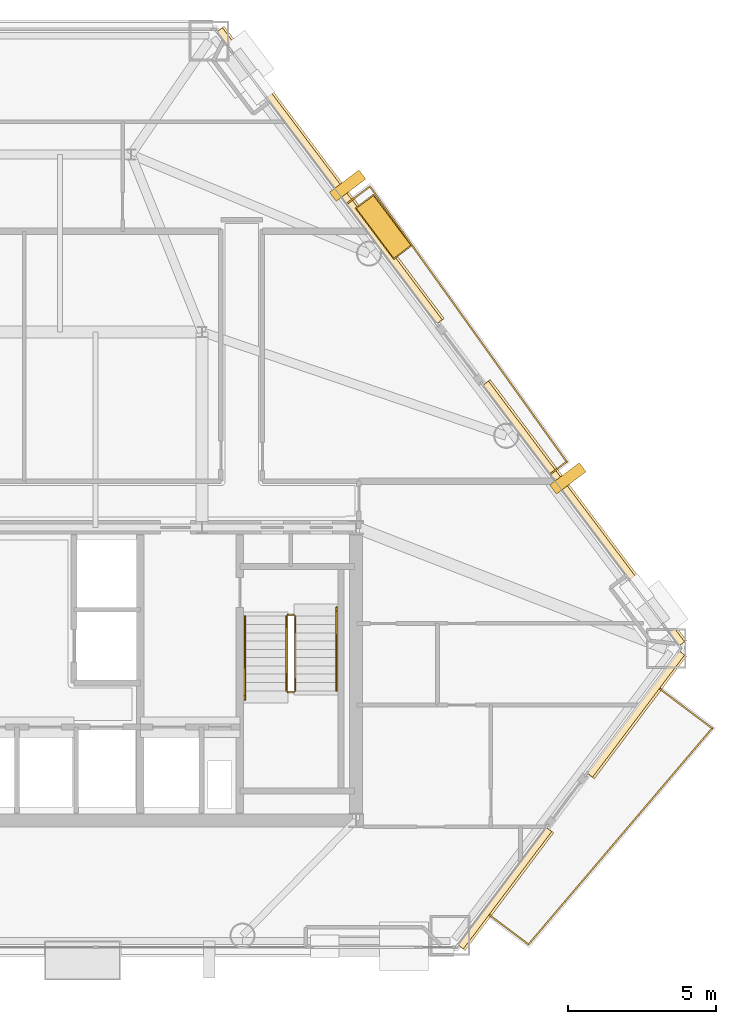
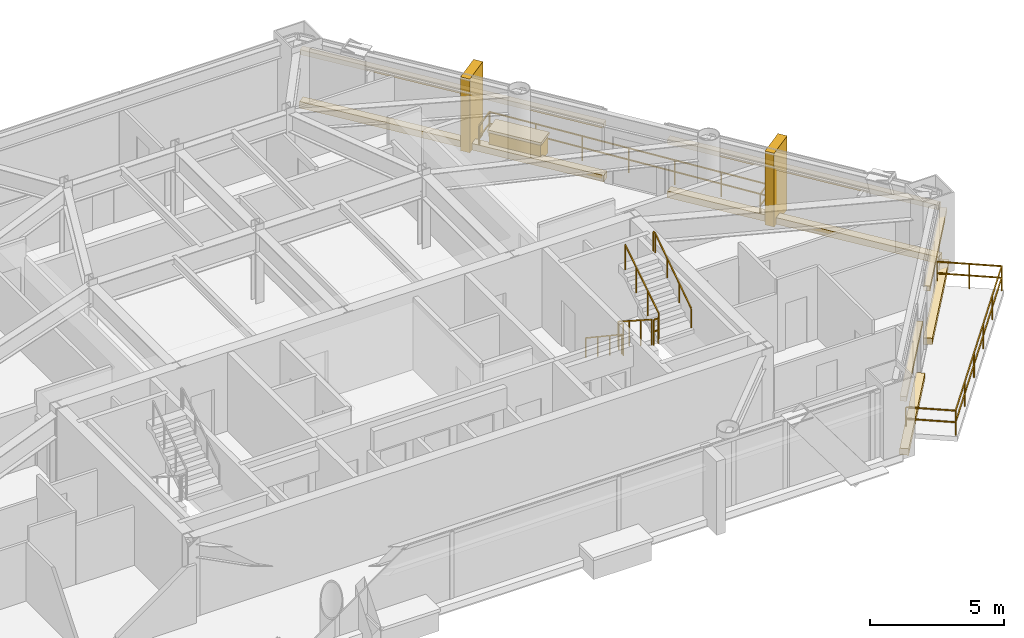
# One storey, part 14 of 14: 12 coverings, 8 railings.
"""IFC4 building model written with IfcOpenShell, lengths in metres."""

import ifcopenshell
import ifcopenshell.guid

model = None  # the IFC model being written
_history = None  # IfcOwnerHistory: only IFC2X3 demands one
_inside = {}  # id of a spatial element -> (the spatial element, [elements in it])
_under = {}  # id of a project, library or spatial element -> (it, [spatial elements below it])
_declared = {}  # id of a project -> (the project, [libraries it declares])
_typed = {}  # id of a type object -> (the type object, [elements of that type])
_made_of = {}  # id of a material, layer set ... -> (it, [elements and type objects made of it])


def new_model(schema):
    """Start an empty IFC model of exactly this schema.

    Asked for "IFC4X3", IfcOpenShell would pick the latest addendum, in which some entities
    have other attributes; the version numbers below select the first issue.
    IFC2X3 requires an IfcOwnerHistory on every rooted entity: one is made here for all.
    """
    global model, _history
    if schema == "IFC4X3":
        model = ifcopenshell.file(schema_version=(4, 3, 0, 0))
    else:
        model = ifcopenshell.file(schema=schema)
    _inside.clear()
    _under.clear()
    _declared.clear()
    _typed.clear()
    _made_of.clear()
    _history = None
    if model.schema == "IFC2X3":
        org = make("IfcOrganization", Name="unknown")
        user = make(
            "IfcPersonAndOrganization",
            ThePerson=make("IfcPerson", FamilyName="unknown"),
            TheOrganization=org,
        )
        app = make(
            "IfcApplication",
            ApplicationDeveloper=org,
            Version="unknown",
            ApplicationFullName="unknown",
            ApplicationIdentifier="unknown",
        )
        _history = make(
            "IfcOwnerHistory",
            OwningUser=user,
            OwningApplication=app,
            ChangeAction="ADDED",
            CreationDate=0,
        )
    return model


def make(cls, **values):
    """One entity of the class cls with the attributes given. An attribute that is None is left unset."""
    return model.create_entity(
        cls, **{name: value for name, value in values.items() if value is not None}
    )


def rooted(cls, **values):
    """An entity with a GlobalId (a new one), such as an element, a storey or a relation."""
    return make(cls, GlobalId=ifcopenshell.guid.new(), OwnerHistory=_history, **values)


def si_unit(unit_type, name, prefix=None):
    """IfcSIUnit, for example si_unit("LENGTHUNIT", "METRE", prefix="MILLI")."""
    return make("IfcSIUnit", UnitType=unit_type, Prefix=prefix, Name=name)


def assignment(units):
    """IfcUnitAssignment: the units of a project."""
    return None if units is None else make("IfcUnitAssignment", Units=units)


def point(xyz):
    """IfcCartesianPoint."""
    return None if xyz is None else make("IfcCartesianPoint", Coordinates=xyz)


def direction(xyz):
    """IfcDirection."""
    return None if xyz is None else make("IfcDirection", DirectionRatios=xyz)


def frame(location, z_axis=None, x_axis=None):
    """IfcAxis2Placement3D, a coordinate frame: its origin and axes. An axis left out is left unset."""
    return make(
        "IfcAxis2Placement3D",
        Location=point(location),
        Axis=direction(z_axis),
        RefDirection=direction(x_axis),
    )


def frame_2d(location, x_axis=None):
    """IfcAxis2Placement2D, a coordinate frame in the plane: its origin and x axis."""
    return make(
        "IfcAxis2Placement2D", Location=point(location), RefDirection=direction(x_axis)
    )


def origin():
    """The frame at (0, 0, 0) with its axes left unset."""
    return frame((0.0, 0.0, 0.0))


def origin_2d():
    """The frame at (0, 0) in the plane with its x axis left unset."""
    return frame_2d((0.0, 0.0))


def place(relative_to, where):
    """IfcLocalPlacement: puts the frame where relative to a parent placement (None: the world)."""
    return make(
        "IfcLocalPlacement", PlacementRelTo=relative_to, RelativePlacement=where
    )


def context(
    kind, dimensions, precision=None, world=None, true_north=None, identifier=None
):
    """IfcGeometricRepresentationContext, for example the 3D "Model" context."""
    return make(
        "IfcGeometricRepresentationContext",
        ContextIdentifier=identifier,
        ContextType=kind,
        CoordinateSpaceDimension=dimensions,
        Precision=precision,
        WorldCoordinateSystem=world,
        TrueNorth=true_north,
    )


def subcontext(parent, identifier, kind, view, scale=None):
    """IfcGeometricRepresentationSubContext, for example "Body" below "Model"."""
    return make(
        "IfcGeometricRepresentationSubContext",
        ContextIdentifier=identifier,
        ContextType=kind,
        ParentContext=parent,
        TargetScale=scale,
        TargetView=view,
    )


def project(units=None, contexts=None):
    """IfcProject with its units and contexts."""
    return rooted(
        "IfcProject",
        Name="project",
        RepresentationContexts=contexts,
        UnitsInContext=assignment(units),
    )


def spatial(cls, under=None, at=None, **own):
    """A site, building, storey or space (cls), placed at a placement, below another one or the project."""
    s = rooted(cls, ObjectPlacement=at, **own)
    if under is not None:
        _under.setdefault(under.id(), (under, []))[1].append(s)
    return s


def profile(cls, at=None, kind="AREA", **sizes):
    """A parametric profile (cls). Its sizes go by their IFC names, for example OverallWidth=200.0."""
    return make(cls, ProfileType=kind, Position=at, **sizes)


def rectangle(**sizes):
    """IfcRectangleProfileDef."""
    return profile("IfcRectangleProfileDef", **sizes)


def extrude(swept, where, along, depth):
    """IfcExtrudedAreaSolid: the profile swept, set in the frame where, extruded along a direction by depth."""
    return make(
        "IfcExtrudedAreaSolid",
        SweptArea=swept,
        Position=where,
        ExtrudedDirection=direction(along),
        Depth=depth,
    )


def shape(context_of_items, identifier, shape_type, items):
    """IfcShapeRepresentation: the items that make up one representation, for example the "Body"."""
    return make(
        "IfcShapeRepresentation",
        ContextOfItems=context_of_items,
        RepresentationIdentifier=identifier,
        RepresentationType=shape_type,
        Items=items,
    )


def material(Name=None, Category=None):
    """IfcMaterial."""
    return make("IfcMaterial", Name=Name, Category=Category)


def layer(
    of_material, thickness, ventilated=None, Name=None, Category=None, Priority=None
):
    """IfcMaterialLayer: one layer of a wall or slab, of a material (None: an air gap)."""
    return make(
        "IfcMaterialLayer",
        Material=of_material,
        LayerThickness=thickness,
        IsVentilated=ventilated,
        Name=Name,
        Category=Category,
        Priority=Priority,
    )


def layer_set(layers, Name=None):
    """IfcMaterialLayerSet."""
    return make("IfcMaterialLayerSet", MaterialLayers=layers, LayerSetName=Name)


def made_of(thing, what):
    """Note that an element or type object is made of a material, layer set ...; save() writes the relation."""
    if what is not None:
        _made_of.setdefault(what.id(), (what, []))[1].append(thing)
    return thing


def type_object(cls, material=None, **own):
    """A type object (cls), such as IfcWallType, which elements share."""
    return made_of(rooted(cls, **own), material)


def element(
    cls,
    number,
    at=None,
    inside=None,
    cuts=None,
    type_object=None,
    material=None,
    context=None,
    identifier="Body",
    shape_type=None,
    held_by="IfcProductDefinitionShape",
    body=None,
    shapes=None,
    **own,
):
    """One element of the class cls, such as IfcWall. Its Tag is "e" and its number.

    at: its placement. inside: the storey or other place that contains it. cuts: it is an
    opening in that element (IfcRelVoidsElement). A single representation is given by context,
    identifier, shape_type and body (its items); several are given by shapes. held_by: the class
    of the entity that holds the representations. save() writes the other relations.
    """
    e = rooted(cls, Tag="e%d" % number, ObjectPlacement=at, **own)
    if body is not None:
        shapes = [shape(context, identifier, shape_type, body)]
    if shapes is not None:
        e.Representation = make(held_by, Representations=shapes)
    if inside is not None:
        _inside.setdefault(inside.id(), (inside, []))[1].append(e)
    if cuts is not None:
        rooted(
            "IfcRelVoidsElement", RelatingBuildingElement=cuts, RelatedOpeningElement=e
        )
    if type_object is not None:
        _typed.setdefault(type_object.id(), (type_object, []))[1].append(e)
    return made_of(e, material)


def aggregate(whole, parts):
    """IfcRelAggregates: a whole, such as a stair, and the parts it consists of."""
    return rooted("IfcRelAggregates", RelatingObject=whole, RelatedObjects=parts)


def save(model, path):
    """Write the relations noted so far, then the file.

    IfcRelAggregates (storeys below a building ...), IfcRelContainedInSpatialStructure (elements
    in a storey), IfcRelDefinesByType, IfcRelAssociatesMaterial and IfcRelDeclares: one each for
    every whole, place, type object, material and project.
    """
    for whole, parts in _under.values():
        aggregate(whole, parts)
    for where, things in _inside.values():
        rooted(
            "IfcRelContainedInSpatialStructure",
            RelatedElements=things,
            RelatingStructure=where,
        )
    for kind, things in _typed.values():
        rooted("IfcRelDefinesByType", RelatedObjects=things, RelatingType=kind)
    for what, things in _made_of.values():
        rooted("IfcRelAssociatesMaterial", RelatedObjects=things, RelatingMaterial=what)
    for by, libraries in _declared.values():
        rooted("IfcRelDeclares", RelatingContext=by, RelatedDefinitions=libraries)
    model.write(path)


model = new_model("IFC4")

# Units and contexts
model_context = context("Model", 3, precision=1e-05, world=origin(), true_north=direction((0.0, 1.0)))
body_context = subcontext(model_context, "Body", "Model", "MODEL_VIEW")
ifc_project = project(units=[si_unit("LENGTHUNIT", "METRE"), si_unit("AREAUNIT", "SQUARE_METRE"), si_unit("VOLUMEUNIT", "CUBIC_METRE"), si_unit("PLANEANGLEUNIT", "RADIAN"), si_unit("MASSUNIT", "GRAM", prefix="KILO")], contexts=[model_context])

# Site, building, storey
site_placement = place(None, origin())
site = spatial("IfcSite", under=ifc_project, at=site_placement, CompositionType="ELEMENT")
building_placement = place(site_placement, origin())
building = spatial("IfcBuilding", under=site, at=building_placement, Name="Talgorran Terracotta Tower", CompositionType="ELEMENT")
storey_placement = place(building_placement, frame((0.0, 0.0, 56.699951171875)))
storey = spatial("IfcBuildingStorey", under=building, at=storey_placement, Name="L14", CompositionType="ELEMENT", Elevation=56.699951171875)

# Coverings
ifc_material_1 = material(Name="Kiln-Fired Terracotta Ochre Ceramic", Category="masonry")
ifc_layer_1 = layer(ifc_material_1, 0.179931640625, Name="COV_BAGUETTE_TERRACOTTA_SCREEN")
ifc_layer_set_1 = layer_set([ifc_layer_1], Name="Kiln-Fired Terracotta Ochre Ceramic")
covering_type_1 = type_object("IfcCoveringType", Name="COV_BAGUETTE_TERRACOTTA_SCREEN", PredefinedType="CLADDING", material=ifc_layer_set_1)
covering_1_placement = place(storey_placement, frame((17.4169921875, -16.381591796875, 2.41015625), z_axis=(0.0, 0.0, 1.0), x_axis=(0.601438608227, 0.79891902001, 0.0)))
element("IfcCovering", 1, at=covering_1_placement, inside=storey, type_object=covering_type_1, Name="L14 Terracotta Baguette Solar Screen Assembly F30", PredefinedType="CLADDING", context=body_context, shape_type="SweptSolid", body=[
    extrude(rectangle(XDim=4.9609375, YDim=0.260009765625, at=origin_2d()), origin(), (0.0, 0.0, 1.0), 0.219970703125),
])
covering_2_placement = place(storey_placement, frame((21.845947265625, -10.49853515625, 2.41015625), z_axis=(0.0, 0.0, 1.0), x_axis=(0.601452551903, 0.798908522805, 0.0)))
element("IfcCovering", 2, at=covering_2_placement, inside=storey, type_object=covering_type_1, Name="L14 Terracotta Baguette Solar Screen Assembly F31", PredefinedType="CLADDING", context=body_context, shape_type="SweptSolid", body=[
    extrude(rectangle(XDim=5.166748046875, YDim=0.260009765625, at=origin_2d()), origin(), (0.0, 0.0, 1.0), 0.219970703125),
])
covering_3_placement = place(storey_placement, frame((20.087158203125, -3.73828125, 2.41015625), z_axis=(0.0, 0.0, 1.0), x_axis=(-0.601438608227, 0.79891902001, 0.0)))
element("IfcCovering", 3, at=covering_3_placement, inside=storey, type_object=covering_type_1, Name="L14 Terracotta Baguette Solar Screen Assembly F40", PredefinedType="CLADDING", context=body_context, shape_type="SweptSolid", body=[
    extrude(rectangle(XDim=11.015625, YDim=0.260009765625, at=origin_2d()), origin(), (0.0, 0.0, 1.0), 0.219970703125),
])
covering_4_placement = place(storey_placement, frame((11.4970703125, 7.67236328125, 2.41015625), z_axis=(0.0, 0.0, 1.0), x_axis=(-0.601438608227, 0.79891902001, 0.0)))
element("IfcCovering", 4, at=covering_4_placement, inside=storey, type_object=covering_type_1, Name="L14 Terracotta Baguette Solar Screen Assembly F41", PredefinedType="CLADDING", context=body_context, shape_type="SweptSolid", body=[
    extrude(rectangle(XDim=12.349609375, YDim=0.260009765625, at=origin_2d()), origin(), (0.0, 0.0, 1.0), 0.219970703125),
])
ifc_material_2 = material(Name="Honed Limestone and Terracotta Planter", Category="masonry")
ifc_layer_2 = layer(ifc_material_2, 0.1201171875, Name="COV_PLANTER_BOX")
ifc_layer_set_2 = layer_set([ifc_layer_2], Name="Honed Limestone and Terracotta Planter")
covering_type_2 = type_object("IfcCoveringType", Name="COV_PLANTER_BOX", PredefinedType="CLADDING", material=ifc_layer_set_2)
covering_5_placement = place(storey_placement, frame((13.335693359375, 5.953369140625, -0.02001953125), z_axis=(0.0, 0.0, 1.0), x_axis=(-0.601438608227, 0.79891902001, 0.0)))
element("IfcCovering", 5, at=covering_5_placement, inside=storey, type_object=covering_type_2, Name="L14 Staggered Balcony Planter Box BAL-NE", PredefinedType="CLADDING", context=body_context, shape_type="SweptSolid", body=[
    extrude(rectangle(XDim=2.10009765625, YDim=0.719970703125, at=origin_2d()), origin(), (0.0, 0.0, 1.0), 0.860107421875),
])
ifc_material_3 = material(Name="Kiln-Fired Terracotta Planter Rim", Category="masonry")
ifc_layer_3 = layer(ifc_material_3, 0.10009765625, Name="COV_PLANTER_RIM")
ifc_layer_set_3 = layer_set([ifc_layer_3], Name="Kiln-Fired Terracotta Planter Rim")
covering_type_3 = type_object("IfcCoveringType", Name="COV_PLANTER_RIM", PredefinedType="CLADDING", material=ifc_layer_set_3)
covering_6_placement = place(storey_placement, frame((13.335693359375, 5.953369140625, 0.800048828125), z_axis=(0.0, 0.0, 1.0), x_axis=(-0.601438608227, 0.79891902001, 0.0)))
element("IfcCovering", 6, at=covering_6_placement, inside=storey, type_object=covering_type_3, Name="L14 Balcony Planter Terracotta Rim BAL-NE", PredefinedType="CLADDING", context=body_context, shape_type="SweptSolid", body=[
    extrude(rectangle(XDim=2.179931640625, YDim=0.780029296875, at=origin_2d()), origin(), (0.0, 0.0, 1.0), 0.1201171875),
])
ifc_material_4 = material(Name="Honed Limestone Cladding", Category="masonry")
ifc_layer_4 = layer(ifc_material_4, 0.094970703125, Name="COV_PORTAL_LIME")
ifc_layer_set_4 = layer_set([ifc_layer_4], Name="Honed Limestone Cladding")
covering_type_4 = type_object("IfcCoveringType", Name="COV_PORTAL_LIME", PredefinedType="CLADDING", material=ifc_layer_set_4)
covering_7_placement = place(storey_placement, frame((17.448974609375, -16.40576171875, -0.0400390625), z_axis=(0.0, 0.0, 1.0), x_axis=(0.601438608227, 0.79891902001, 0.0)))
element("IfcCovering", 7, at=covering_7_placement, inside=storey, type_object=covering_type_4, Name="L14 Striped Postmodern Portal Cladding Band F30", PredefinedType="CLADDING", context=body_context, shape_type="SweptSolid", body=[
    extrude(rectangle(XDim=4.98095703125, YDim=0.340087890625, at=origin_2d()), origin(), (0.0, 0.0, 1.0), 0.300048828125),
])
covering_8_placement = place(storey_placement, frame((21.8779296875, -10.522705078125, -0.0400390625), z_axis=(0.0, 0.0, 1.0), x_axis=(0.601452551903, 0.798908522805, 0.0)))
element("IfcCovering", 8, at=covering_8_placement, inside=storey, type_object=covering_type_4, Name="L14 Striped Postmodern Portal Cladding Band F31", PredefinedType="CLADDING", context=body_context, shape_type="SweptSolid", body=[
    extrude(rectangle(XDim=5.186767578125, YDim=0.340087890625, at=origin_2d()), origin(), (0.0, 0.0, 1.0), 0.300048828125),
])
covering_9_placement = place(storey_placement, frame((20.118896484375, -3.714111328125, -0.0400390625), z_axis=(0.0, 0.0, 1.0), x_axis=(-0.601438608227, 0.79891902001, 0.0)))
element("IfcCovering", 9, at=covering_9_placement, inside=storey, type_object=covering_type_4, Name="L14 Striped Postmodern Portal Cladding Band F40", PredefinedType="CLADDING", context=body_context, shape_type="SweptSolid", body=[
    extrude(rectangle(XDim=11.03564453125, YDim=0.340087890625, at=origin_2d()), origin(), (0.0, 0.0, 1.0), 0.300048828125),
])
covering_10_placement = place(storey_placement, frame((11.529052734375, 7.6962890625, -0.0400390625), z_axis=(0.0, 0.0, 1.0), x_axis=(-0.601438608227, 0.79891902001, 0.0)))
element("IfcCovering", 10, at=covering_10_placement, inside=storey, type_object=covering_type_4, Name="L14 Striped Postmodern Portal Cladding Band F41", PredefinedType="CLADDING", context=body_context, shape_type="SweptSolid", body=[
    extrude(rectangle(XDim=12.36962890625, YDim=0.340087890625, at=origin_2d()), origin(), (0.0, 0.0, 1.0), 0.300048828125),
])
covering_11_placement = place(storey_placement, frame((12.1181640625, 7.34619140625, -0.050048828125), z_axis=(0.0, 0.0, 1.0), x_axis=(-0.601438608227, 0.79891902001, 0.0)))
element("IfcCovering", 11, at=covering_11_placement, inside=storey, type_object=covering_type_4, Name="L14 White Striped Portal Fin F3-2", PredefinedType="CLADDING", context=body_context, shape_type="SweptSolid", body=[
    extrude(rectangle(XDim=0.3798828125, YDim=1.25, at=origin_2d()), origin(), (0.0, 0.0, 1.0), 3.3701171875),
])
ifc_material_5 = material(Name="Kiln-Fired Terracotta Cladding", Category="masonry")
ifc_layer_5 = layer(ifc_material_5, 0.090087890625, Name="COV_PORTAL_TERRA")
ifc_layer_set_5 = layer_set([ifc_layer_5], Name="Kiln-Fired Terracotta Cladding")
covering_type_5 = type_object("IfcCoveringType", Name="COV_PORTAL_TERRA", PredefinedType="CLADDING", material=ifc_layer_set_5)
covering_12_placement = place(storey_placement, frame((19.5625, -2.54248046875, -0.050048828125), z_axis=(0.0, 0.0, 1.0), x_axis=(-0.601438608227, 0.79891902001, 0.0)))
element("IfcCovering", 12, at=covering_12_placement, inside=storey, type_object=covering_type_5, Name="L14 Terracotta Striped Portal Fin F3-1", PredefinedType="CLADDING", context=body_context, shape_type="SweptSolid", body=[
    extrude(rectangle(XDim=0.3798828125, YDim=1.25, at=origin_2d()), origin(), (0.0, 0.0, 1.0), 3.3701171875),
])

# Railings
ifc_material_6 = material(Name="Laminated Glass and Stainless Steel 316", Category="steel")
railing_type_1 = type_object("IfcRailingType", Name="RL_BALCONY_1150", PredefinedType="BALUSTRADE", material=ifc_material_6)
railing_1_placement = place(storey_placement, frame((18.97314453125, -2.3916015625, 0.0)))
element("IfcRailing", 13, at=railing_1_placement, inside=storey, type_object=railing_type_1, Name="RL-L14-BAL-BAL-NE", PredefinedType="BALUSTRADE", context=body_context, shape_type="SweptSolid", body=[
    extrude(rectangle(XDim=0.048095703125, YDim=0.048095703125, at=origin_2d()), frame((0.0, 0.0, 1.1259765625), z_axis=(0.798929212019, 0.601425069467, 0.0), x_axis=(-0.601425069467, 0.798929212019, 0.0)), (0.0, 0.0, 1.0), 0.684814453125),
    extrude(rectangle(XDim=0.048095703125, YDim=0.048095703125, at=origin_2d()), frame((0.0, 0.0, 0.597900390625), z_axis=(0.798929212019, 0.601425069467, 0.0), x_axis=(-0.601425069467, 0.798929212019, 0.0)), (0.0, 0.0, 1.0), 0.684814453125),
    extrude(rectangle(XDim=0.048095703125, YDim=0.048095703125, at=origin_2d()), frame((0.547119140625, 0.411865234375, 1.1259765625), z_axis=(-0.581484646418, 0.81355737719, 0.0), x_axis=(-0.81355737719, -0.581484646418, 0.0)), (0.0, 0.0, 1.0), 11.43115234375),
    extrude(rectangle(XDim=0.048095703125, YDim=0.048095703125, at=origin_2d()), frame((0.547119140625, 0.411865234375, 0.597900390625), z_axis=(-0.581484646418, 0.81355737719, 0.0), x_axis=(-0.81355737719, -0.581484646418, 0.0)), (0.0, 0.0, 1.0), 11.43115234375),
    extrude(rectangle(XDim=0.048095703125, YDim=0.048095703125, at=origin_2d()), frame((-6.099853515625, 9.711669921875, 1.1259765625), z_axis=(-0.798847945793, -0.601533007824, 0.0), x_axis=(0.601533007824, -0.798847945793, 0.0)), (0.0, 0.0, 1.0), 0.967529296875),
    extrude(rectangle(XDim=0.048095703125, YDim=0.048095703125, at=origin_2d()), frame((-6.099853515625, 9.711669921875, 0.597900390625), z_axis=(-0.798847945793, -0.601533007824, 0.0), x_axis=(0.601533007824, -0.798847945793, 0.0)), (0.0, 0.0, 1.0), 0.967529296875),
    extrude(rectangle(XDim=0.0419921875, YDim=0.0419921875, at=origin_2d()), origin(), (0.0, 0.0, 1.0), 1.101806640625),
    extrude(rectangle(XDim=0.0419921875, YDim=0.0419921875, at=origin_2d()), frame((0.547119140625, 0.411865234375, 0.0)), (0.0, 0.0, 1.0), 1.101806640625),
    extrude(rectangle(XDim=0.0419921875, YDim=0.0419921875, at=origin_2d()), frame((-0.560791015625, 1.9619140625, 0.0)), (0.0, 0.0, 1.0), 1.101806640625),
    extrude(rectangle(XDim=0.0419921875, YDim=0.0419921875, at=origin_2d()), frame((-1.66845703125, 3.51171875, 0.0)), (0.0, 0.0, 1.0), 1.101806640625),
    extrude(rectangle(XDim=0.0419921875, YDim=0.0419921875, at=origin_2d()), frame((-2.7763671875, 5.061767578125, 0.0)), (0.0, 0.0, 1.0), 1.101806640625),
    extrude(rectangle(XDim=0.0419921875, YDim=0.0419921875, at=origin_2d()), frame((-3.88427734375, 6.61181640625, 0.0)), (0.0, 0.0, 1.0), 1.101806640625),
    extrude(rectangle(XDim=0.0419921875, YDim=0.0419921875, at=origin_2d()), frame((-4.991943359375, 8.16162109375, 0.0)), (0.0, 0.0, 1.0), 1.101806640625),
    extrude(rectangle(XDim=0.0419921875, YDim=0.0419921875, at=origin_2d()), frame((-6.099853515625, 9.711669921875, 0.0)), (0.0, 0.0, 1.0), 1.101806640625),
    extrude(rectangle(XDim=0.0419921875, YDim=0.0419921875, at=origin_2d()), frame((-6.872802734375, 9.129638671875, 0.0)), (0.0, 0.0, 1.0), 1.101806640625),
])
railing_2_placement = place(storey_placement, frame((16.73095703125, -17.16015625, 0.0)))
element("IfcRailing", 14, at=railing_2_placement, inside=storey, type_object=railing_type_1, Name="RL-L14-BAL-BAL-SE", PredefinedType="BALUSTRADE", context=body_context, shape_type="SweptSolid", body=[
    extrude(rectangle(XDim=0.048095703125, YDim=0.048095703125, at=origin_2d()), frame((0.0, 0.0, 1.1259765625), z_axis=(0.798922215087, -0.601434364034, 0.0), x_axis=(0.601434364034, 0.798922215087, 0.0)), (0.0, 0.0, 1.0), 1.8779296875),
    extrude(rectangle(XDim=0.048095703125, YDim=0.048095703125, at=origin_2d()), frame((0.0, 0.0, 0.597900390625), z_axis=(0.798922215087, -0.601434364034, 0.0), x_axis=(0.601434364034, 0.798922215087, 0.0)), (0.0, 0.0, 1.0), 1.8779296875),
    extrude(rectangle(XDim=0.048095703125, YDim=0.048095703125, at=origin_2d()), frame((1.500244140625, -1.12939453125, 1.1259765625), z_axis=(0.647527132138, 0.762042395897, 0.0), x_axis=(-0.762042395897, 0.647527132138, 0.0)), (0.0, 0.0, 1.0), 9.5830078125),
    extrude(rectangle(XDim=0.048095703125, YDim=0.048095703125, at=origin_2d()), frame((1.500244140625, -1.12939453125, 0.597900390625), z_axis=(0.647527132138, 0.762042395897, 0.0), x_axis=(-0.762042395897, 0.647527132138, 0.0)), (0.0, 0.0, 1.0), 9.5830078125),
    extrude(rectangle(XDim=0.048095703125, YDim=0.048095703125, at=origin_2d()), frame((7.70556640625, 6.17333984375, 1.1259765625), z_axis=(-0.798907486289, 0.601453928702, 0.0), x_axis=(-0.601453928702, -0.798907486289, 0.0)), (0.0, 0.0, 1.0), 2.443115234375),
    extrude(rectangle(XDim=0.048095703125, YDim=0.048095703125, at=origin_2d()), frame((7.70556640625, 6.17333984375, 0.597900390625), z_axis=(-0.798907486289, 0.601453928702, 0.0), x_axis=(-0.601453928702, -0.798907486289, 0.0)), (0.0, 0.0, 1.0), 2.443115234375),
    extrude(rectangle(XDim=0.0419921875, YDim=0.0419921875, at=origin_2d()), origin(), (0.0, 0.0, 1.0), 1.101806640625),
    extrude(rectangle(XDim=0.0419921875, YDim=0.0419921875, at=origin_2d()), frame((1.500244140625, -1.12939453125, 0.0)), (0.0, 0.0, 1.0), 1.101806640625),
    extrude(rectangle(XDim=0.0419921875, YDim=0.0419921875, at=origin_2d()), frame((2.7412109375, 0.3310546875, 0.0)), (0.0, 0.0, 1.0), 1.101806640625),
    extrude(rectangle(XDim=0.0419921875, YDim=0.0419921875, at=origin_2d()), frame((3.982421875, 1.791748046875, 0.0)), (0.0, 0.0, 1.0), 1.101806640625),
    extrude(rectangle(XDim=0.0419921875, YDim=0.0419921875, at=origin_2d()), frame((5.223388671875, 3.252197265625, 0.0)), (0.0, 0.0, 1.0), 1.101806640625),
    extrude(rectangle(XDim=0.0419921875, YDim=0.0419921875, at=origin_2d()), frame((6.464599609375, 4.712890625, 0.0)), (0.0, 0.0, 1.0), 1.101806640625),
    extrude(rectangle(XDim=0.0419921875, YDim=0.0419921875, at=origin_2d()), frame((7.70556640625, 6.17333984375, 0.0)), (0.0, 0.0, 1.0), 1.101806640625),
    extrude(rectangle(XDim=0.0419921875, YDim=0.0419921875, at=origin_2d()), frame((6.7294921875, 6.908203125, 0.0)), (0.0, 0.0, 1.0), 1.101806640625),
    extrude(rectangle(XDim=0.0419921875, YDim=0.0419921875, at=origin_2d()), frame((5.753662109375, 7.642822265625, 0.0)), (0.0, 0.0, 1.0), 1.101806640625),
])
ifc_material_7 = material(Name="Steel S355 (300PLUS)", Category="steel")
railing_type_2 = type_object("IfcRailingType", Name="RL_HANDRAIL_920", PredefinedType="HANDRAIL", material=ifc_material_7)
railing_3_placement = place(storey_placement, frame((8.64990234375, -7.199951171875, 0.179931640625)))
element("IfcRailing", 15, at=railing_3_placement, inside=storey, type_object=railing_type_2, Name="L14 ST-02 stair handrail 1", PredefinedType="HANDRAIL", context=body_context, shape_type="SweptSolid", body=[
    extrude(rectangle(XDim=0.048095703125, YDim=0.048095703125, at=origin_2d()), frame((0.0, 0.0, 0.89599609375), z_axis=(0.0, -0.832038719335, 0.554717558338), x_axis=(1.0, 0.0, 0.0)), (0.0, 0.0, 1.0), 3.244873046875),
    extrude(rectangle(XDim=0.048095703125, YDim=0.048095703125, at=origin_2d()), frame((0.0, -2.699951171875, 2.69580078125), z_axis=(0.0, -1.0, 0.0), x_axis=(1.0, 0.0, 0.0)), (0.0, 0.0, 1.0), 0.1201171875),
    extrude(rectangle(XDim=0.0419921875, YDim=0.0419921875, at=origin_2d()), origin(), (0.0, 0.0, 1.0), 0.871826171875),
    extrude(rectangle(XDim=0.0419921875, YDim=0.0419921875, at=origin_2d()), frame((0.0, -0.89990234375, 0.60009765625)), (0.0, 0.0, 1.0), 0.871826171875),
    extrude(rectangle(XDim=0.0419921875, YDim=0.0419921875, at=origin_2d()), frame((0.0, -1.800048828125, 1.199951171875)), (0.0, 0.0, 1.0), 0.871826171875),
    extrude(rectangle(XDim=0.0419921875, YDim=0.0419921875, at=origin_2d()), frame((0.0, -2.699951171875, 1.800048828125)), (0.0, 0.0, 1.0), 0.871826171875),
    extrude(rectangle(XDim=0.0419921875, YDim=0.0419921875, at=origin_2d()), frame((0.0, -2.820068359375, 1.800048828125)), (0.0, 0.0, 1.0), 0.871826171875),
])
railing_4_placement = place(storey_placement, frame((11.75, -9.719970703125, 1.97998046875)))
element("IfcRailing", 16, at=railing_4_placement, inside=storey, type_object=railing_type_2, Name="L14 ST-02 stair handrail 2", PredefinedType="HANDRAIL", context=body_context, shape_type="SweptSolid", body=[
    extrude(rectangle(XDim=0.048095703125, YDim=0.048095703125, at=origin_2d()), frame((0.0, 0.0, 0.89599609375), z_axis=(0.0, 0.832038719335, 0.554717558338), x_axis=(-1.0, 0.0, 0.0)), (0.0, 0.0, 1.0), 3.244873046875),
    extrude(rectangle(XDim=0.048095703125, YDim=0.048095703125, at=origin_2d()), frame((0.0, 2.699951171875, 2.69580078125), z_axis=(0.0, 1.0, 0.0), x_axis=(-1.0, 0.0, 0.0)), (0.0, 0.0, 1.0), 0.1201171875),
    extrude(rectangle(XDim=0.0419921875, YDim=0.0419921875, at=origin_2d()), origin(), (0.0, 0.0, 1.0), 0.871826171875),
    extrude(rectangle(XDim=0.0419921875, YDim=0.0419921875, at=origin_2d()), frame((0.0, 0.89990234375, 0.60009765625)), (0.0, 0.0, 1.0), 0.871826171875),
    extrude(rectangle(XDim=0.0419921875, YDim=0.0419921875, at=origin_2d()), frame((0.0, 1.800048828125, 1.199951171875)), (0.0, 0.0, 1.0), 0.871826171875),
    extrude(rectangle(XDim=0.0419921875, YDim=0.0419921875, at=origin_2d()), frame((0.0, 2.699951171875, 1.800048828125)), (0.0, 0.0, 1.0), 0.871826171875),
    extrude(rectangle(XDim=0.0419921875, YDim=0.0419921875, at=origin_2d()), frame((0.0, 2.820068359375, 1.800048828125)), (0.0, 0.0, 1.0), 0.871826171875),
])
railing_type_3 = type_object("IfcRailingType", Name="RL_STAIR_GUARD", PredefinedType="GUARDRAIL", material=ifc_material_7)
railing_5_placement = place(storey_placement, frame((10.050048828125, -7.199951171875, 0.179931640625)))
element("IfcRailing", 17, at=railing_5_placement, inside=storey, type_object=railing_type_3, Name="L14 ST-02 stair guard 1", PredefinedType="GUARDRAIL", context=body_context, shape_type="SweptSolid", body=[
    extrude(rectangle(XDim=0.048095703125, YDim=0.048095703125, at=origin_2d()), frame((0.0, 0.0, 1.15576171875), z_axis=(0.0, -0.841162588446, 0.540782303519), x_axis=(1.0, 0.0, 0.0)), (0.0, 0.0, 1.0), 2.995849609375),
    extrude(rectangle(XDim=0.0419921875, YDim=0.0419921875, at=origin_2d()), origin(), (0.0, 0.0, 1.0), 1.1318359375),
    extrude(rectangle(XDim=0.0419921875, YDim=0.0419921875, at=origin_2d()), frame((0.0, -0.840087890625, 0.5400390625)), (0.0, 0.0, 1.0), 1.1318359375),
    extrude(rectangle(XDim=0.0419921875, YDim=0.0419921875, at=origin_2d()), frame((0.0, -1.679931640625, 1.080078125)), (0.0, 0.0, 1.0), 1.1318359375),
    extrude(rectangle(XDim=0.0419921875, YDim=0.0419921875, at=origin_2d()), frame((0.0, -2.52001953125, 1.6201171875)), (0.0, 0.0, 1.0), 1.1318359375),
])
railing_6_placement = place(storey_placement, frame((10.10009765625, -9.77001953125, 1.800048828125)))
element("IfcRailing", 18, at=railing_6_placement, inside=storey, type_object=railing_type_3, Name="L14 ST-02 stair guard 2", PredefinedType="GUARDRAIL", context=body_context, shape_type="SweptSolid", body=[
    extrude(rectangle(XDim=0.048095703125, YDim=0.048095703125, at=origin_2d()), frame((0.0, 0.0, 1.15576171875), z_axis=(1.0, 0.0, 0.0), x_axis=(0.0, 1.0, 0.0)), (0.0, 0.0, 1.0), 0.199951171875),
    extrude(rectangle(XDim=0.048095703125, YDim=0.048095703125, at=origin_2d()), frame((0.0, 0.0, 0.613525390625), z_axis=(1.0, 0.0, 0.0), x_axis=(0.0, 1.0, 0.0)), (0.0, 0.0, 1.0), 0.199951171875),
    extrude(rectangle(XDim=0.0419921875, YDim=0.0419921875, at=origin_2d()), origin(), (0.0, 0.0, 1.0), 1.1318359375),
    extrude(rectangle(XDim=0.0419921875, YDim=0.0419921875, at=origin_2d()), frame((0.199951171875, 0.0, 0.0)), (0.0, 0.0, 1.0), 1.1318359375),
])
railing_7_placement = place(storey_placement, frame((10.35009765625, -9.719970703125, 1.97998046875)))
element("IfcRailing", 19, at=railing_7_placement, inside=storey, type_object=railing_type_3, Name="L14 ST-02 stair guard 3", PredefinedType="GUARDRAIL", context=body_context, shape_type="SweptSolid", body=[
    extrude(rectangle(XDim=0.048095703125, YDim=0.048095703125, at=origin_2d()), frame((0.0, 0.0, 1.15576171875), z_axis=(0.0, 0.841162588446, 0.540782303519), x_axis=(-1.0, 0.0, 0.0)), (0.0, 0.0, 1.0), 2.995849609375),
    extrude(rectangle(XDim=0.0419921875, YDim=0.0419921875, at=origin_2d()), origin(), (0.0, 0.0, 1.0), 1.1318359375),
    extrude(rectangle(XDim=0.0419921875, YDim=0.0419921875, at=origin_2d()), frame((0.0, 0.840087890625, 0.5400390625)), (0.0, 0.0, 1.0), 1.1318359375),
    extrude(rectangle(XDim=0.0419921875, YDim=0.0419921875, at=origin_2d()), frame((0.0, 1.679931640625, 1.080078125)), (0.0, 0.0, 1.0), 1.1318359375),
    extrude(rectangle(XDim=0.0419921875, YDim=0.0419921875, at=origin_2d()), frame((0.0, 2.52001953125, 1.6201171875)), (0.0, 0.0, 1.0), 1.1318359375),
])
railing_8_placement = place(storey_placement, frame((10.10009765625, -7.14990234375, 0.0)))
element("IfcRailing", 20, at=railing_8_placement, inside=storey, type_object=railing_type_3, Name="L14 ST-02 stair guard 4", PredefinedType="GUARDRAIL", context=body_context, shape_type="SweptSolid", body=[
    extrude(rectangle(XDim=0.048095703125, YDim=0.048095703125, at=origin_2d()), frame((0.0, 0.0, 1.15576171875), z_axis=(1.0, 0.0, 0.0), x_axis=(0.0, 1.0, 0.0)), (0.0, 0.0, 1.0), 0.199951171875),
    extrude(rectangle(XDim=0.048095703125, YDim=0.048095703125, at=origin_2d()), frame((0.0, 0.0, 0.613525390625), z_axis=(1.0, 0.0, 0.0), x_axis=(0.0, 1.0, 0.0)), (0.0, 0.0, 1.0), 0.199951171875),
    extrude(rectangle(XDim=0.0419921875, YDim=0.0419921875, at=origin_2d()), origin(), (0.0, 0.0, 1.0), 1.1318359375),
    extrude(rectangle(XDim=0.0419921875, YDim=0.0419921875, at=origin_2d()), frame((0.199951171875, 0.0, 0.0)), (0.0, 0.0, 1.0), 1.1318359375),
])

save(model, "model.ifc")
